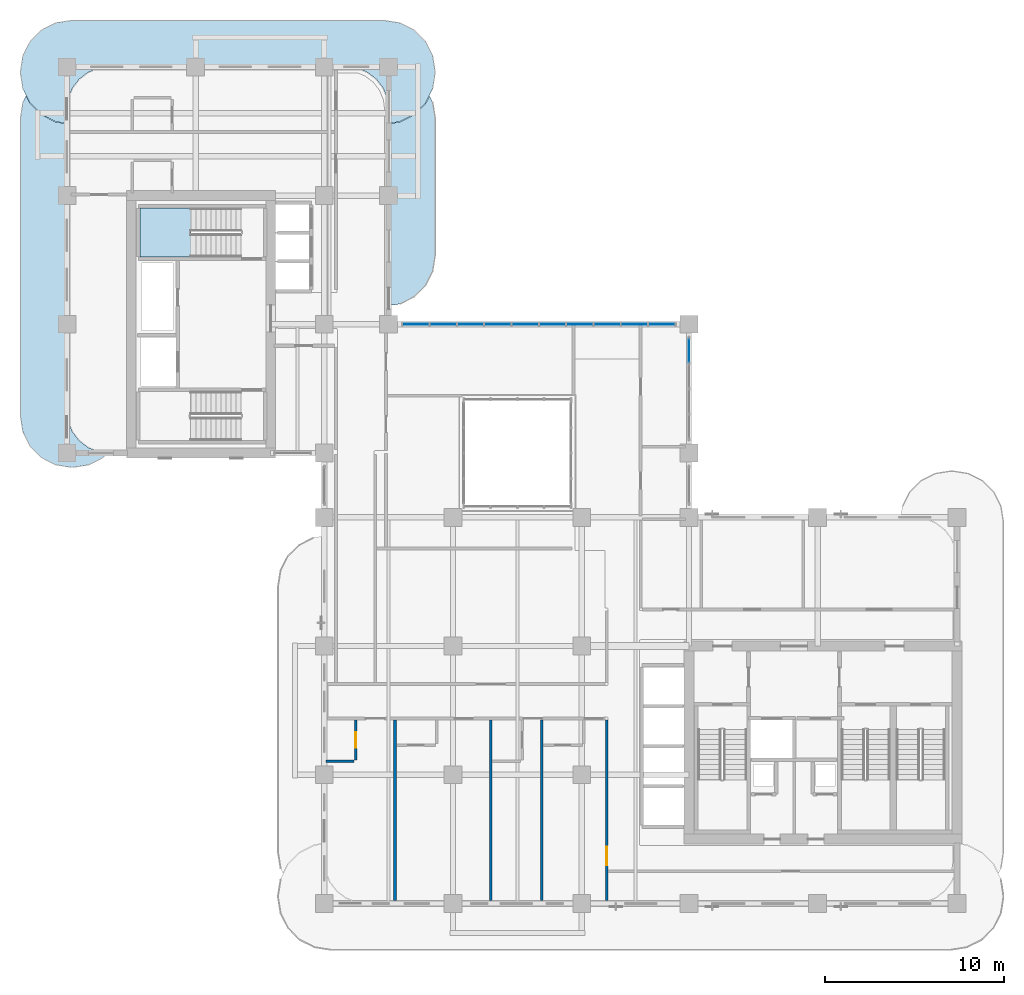
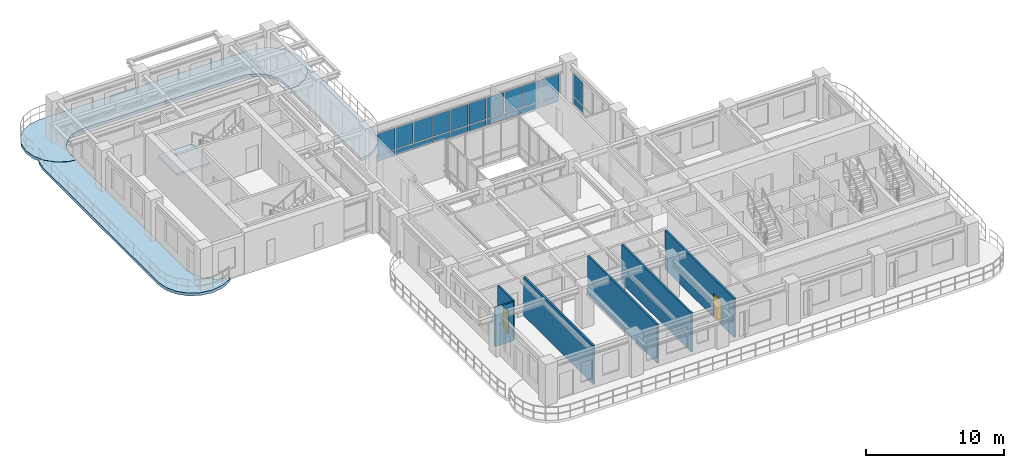
# One storey, part 10 of 20: 22 plates, 6 walls, 4 slabs, 2 doors, 2 openings, 3 elements without a shape of their own.
"""IFC4 building model written with IfcOpenShell, lengths in metres."""

from ifc_helpers import new_model, si_unit, derived_unit, direction, frame, frame_2d, origin, origin_2d, place, context, subcontext, project, spatial, polyline, rectangle, outline, extrude, source, transform, mapped, material, layer, layer_set, type_object, type_shapes, element, fill, aggregate, save


model = new_model("IFC4")

# Units and contexts
model_context = context("Model", 3, precision=1e-05, world=origin(), true_north=direction((0.0, 1.0)))
body_context = subcontext(model_context, "Body", "Model", "MODEL_VIEW")
ifc_project = project(units=[si_unit("LENGTHUNIT", "METRE"), si_unit("AREAUNIT", "SQUARE_METRE"), si_unit("VOLUMEUNIT", "CUBIC_METRE"), si_unit("PLANEANGLEUNIT", "RADIAN"), si_unit("MASSUNIT", "GRAM", prefix="KILO"), si_unit("THERMODYNAMICTEMPERATUREUNIT", "KELVIN"), si_unit("POWERUNIT", "WATT"), derived_unit("THERMALTRANSMITTANCEUNIT", [(si_unit("POWERUNIT", "WATT"), 1), (si_unit("AREAUNIT", "SQUARE_METRE"), -1), (si_unit("THERMODYNAMICTEMPERATUREUNIT", "KELVIN"), -1)])], contexts=[model_context])

# Site, building, storey
site_placement = place(None, origin())
site = spatial("IfcSite", under=ifc_project, at=site_placement, CompositionType="ELEMENT")
building_placement = place(site_placement, origin())
building = spatial("IfcBuilding", under=site, at=building_placement, Name="Zahravan Archway Hotel and Residences", CompositionType="ELEMENT")
storey_placement = place(building_placement, frame((0.0, 0.0, 122.89990234375)))
storey = spatial("IfcBuildingStorey", under=building, at=storey_placement, Name="L30", CompositionType="ELEMENT", Elevation=122.89990234375)

# Slabs
ifc_material_1 = material(Name="Concrete C45/55", Category="concrete")
ifc_layer_1 = layer(ifc_material_1, 0.25, Name="Concrete C45/55", Category="concrete")
ifc_layer_set_1 = layer_set([ifc_layer_1], Name="Concrete C45/55")
slab_type_1 = type_object("IfcSlabType", Name="SLB-BALC-250", PredefinedType="FLOOR", material=ifc_layer_set_1)
slab_1_placement = place(storey_placement, frame((0.0, 0.0, -0.25)))
element("IfcSlab", 1, at=slab_1_placement, inside=storey, type_object=slab_type_1, Name="L30 Wing B North Rounded Balcony Band", PredefinedType="FLOOR", context=body_context, shape_type="SweptSolid", body=[
    extrude(outline(polyline([(-0.630615234375, 43.739501953125), (-1.42529296875, 44.144287109375), (-2.0556640625, 44.77490234375), (-2.46044921875, 45.5693359375), (-2.60009765625, 46.449951171875), (-2.60009765625, 46.550048828125), (-2.46044921875, 47.4306640625), (-2.0556640625, 48.22509765625), (-1.42529296875, 48.855712890625), (-0.630615234375, 49.260498046875), (0.25, 49.39990234375), (17.75, 49.39990234375), (18.630615234375, 49.260498046875), (19.42529296875, 48.855712890625), (20.0556640625, 48.22509765625), (20.46044921875, 47.4306640625), (20.60009765625, 46.550048828125), (20.60009765625, 46.449951171875), (20.46044921875, 45.5693359375), (20.0556640625, 44.77490234375), (19.42529296875, 44.144287109375), (18.630615234375, 43.739501953125), (18.02001953125, 43.642822265625), (18.02001953125, 44.39990234375), (18.019775390625, 44.402587890625), (17.93798828125, 45.023681640625), (17.937744140625, 45.025390625), (17.937255859375, 45.027099609375), (17.936767578125, 45.02880859375), (17.697021484375, 45.607666015625), (17.6962890625, 45.609130859375), (17.6953125, 45.610595703125), (17.6943359375, 45.6123046875), (17.31298828125, 46.109375), (17.311767578125, 46.110595703125), (17.310546875, 46.11181640625), (17.309326171875, 46.113037109375), (16.812255859375, 46.494384765625), (16.810791015625, 46.495361328125), (16.80908203125, 46.49609375), (16.8076171875, 46.4970703125), (16.22900390625, 46.73681640625), (16.227294921875, 46.7373046875), (16.2255859375, 46.73779296875), (16.223876953125, 46.738037109375), (15.6025390625, 46.81982421875), (15.60009765625, 46.820068359375), (2.39990234375, 46.820068359375), (2.3974609375, 46.81982421875), (1.776123046875, 46.738037109375), (1.7744140625, 46.73779296875), (1.772705078125, 46.7373046875), (1.77099609375, 46.73681640625), (1.1923828125, 46.4970703125), (1.19091796875, 46.49609375), (1.189208984375, 46.495361328125), (1.187744140625, 46.494384765625), (0.690673828125, 46.113037109375), (0.689453125, 46.11181640625), (0.688232421875, 46.110595703125), (0.68701171875, 46.109375), (0.3056640625, 45.6123046875), (0.3046875, 45.610595703125), (0.3037109375, 45.609130859375), (0.302978515625, 45.607666015625), (0.063232421875, 45.02880859375), (0.062744140625, 45.027099609375), (0.062255859375, 45.025390625), (0.06201171875, 45.023681640625), (-0.019775390625, 44.402587890625), (-0.02001953125, 44.39990234375), (-0.02001953125, 43.642822265625), (-0.630615234375, 43.739501953125)])), origin(), (0.0, 0.0, 1.0), 0.25),
])
slab_2_placement = place(storey_placement, frame((0.0, 0.0, -0.25)))
element("IfcSlab", 2, at=slab_2_placement, inside=storey, type_object=slab_type_1, Name="L30 Wing B West Rounded Balcony Band", PredefinedType="FLOOR", context=body_context, shape_type="SweptSolid", body=[
    extrude(outline(polyline([(2.025146484375, 24.9443359375), (1.230712890625, 24.53955078125), (0.35009765625, 24.39990234375), (0.25, 24.39990234375), (-0.630615234375, 24.53955078125), (-1.42529296875, 24.9443359375), (-2.0556640625, 25.57470703125), (-2.46044921875, 26.369384765625), (-2.60009765625, 27.25), (-2.60009765625, 43.949951171875), (-2.46044921875, 44.830810546875), (-2.28369140625, 45.177978515625), (-2.073486328125, 44.765625), (-2.072509765625, 44.763916015625), (-2.0712890625, 44.76220703125), (-2.06982421875, 44.7607421875), (-1.439208984375, 44.130126953125), (-1.437744140625, 44.12890625), (-1.43603515625, 44.12744140625), (-1.434326171875, 44.12646484375), (-0.639892578125, 43.7216796875), (-0.637939453125, 43.720703125), (-0.635986328125, 43.72021484375), (-0.6337890625, 43.7197265625), (-0.023193359375, 43.623046875), (-0.021240234375, 43.622802734375), (-0.02001953125, 43.622802734375), (-0.02001953125, 27.60009765625), (-0.019775390625, 27.597412109375), (0.06201171875, 26.976318359375), (0.062255859375, 26.974609375), (0.062744140625, 26.972900390625), (0.063232421875, 26.97119140625), (0.302978515625, 26.392333984375), (0.3037109375, 26.390869140625), (0.3046875, 26.389404296875), (0.3056640625, 26.3876953125), (0.68701171875, 25.890625), (0.688232421875, 25.889404296875), (0.689453125, 25.88818359375), (0.690673828125, 25.886962890625), (1.187744140625, 25.505615234375), (1.189208984375, 25.504638671875), (1.19091796875, 25.50390625), (1.1923828125, 25.5029296875), (1.77099609375, 25.26318359375), (1.772705078125, 25.2626953125), (1.7744140625, 25.26220703125), (1.776123046875, 25.261962890625), (2.27685546875, 25.196044921875), (2.025146484375, 24.9443359375)])), origin(), (0.0, 0.0, 1.0), 0.25),
])
slab_3_placement = place(storey_placement, frame((0.0, 0.0, -0.25)))
element("IfcSlab", 3, at=slab_3_placement, inside=storey, type_object=slab_type_1, Name="L30 Wing B East Rounded Balcony Band", PredefinedType="FLOOR", context=body_context, shape_type="SweptSolid", body=[
    extrude(outline(polyline([(20.46044921875, 44.830810546875), (20.60009765625, 43.949951171875), (20.60009765625, 36.25), (20.46044921875, 35.369384765625), (20.0556640625, 34.57470703125), (19.42529296875, 33.9443359375), (18.630615234375, 33.53955078125), (18.02001953125, 33.44287109375), (18.02001953125, 43.622802734375), (18.021240234375, 43.622802734375), (18.023193359375, 43.623046875), (18.6337890625, 43.7197265625), (18.635986328125, 43.72021484375), (18.637939453125, 43.720703125), (18.639892578125, 43.7216796875), (19.434326171875, 44.12646484375), (19.43603515625, 44.12744140625), (19.437744140625, 44.12890625), (19.439208984375, 44.130126953125), (20.06982421875, 44.7607421875), (20.0712890625, 44.76220703125), (20.072509765625, 44.763916015625), (20.073486328125, 44.765625), (20.28369140625, 45.177978515625), (20.46044921875, 44.830810546875)])), origin(), (0.0, 0.0, 1.0), 0.25),
])

# Stair, slab
ifc_material_2 = material(Name="Concrete C50/60", Category="concrete")
stair_type = type_object("IfcStairType", Name="STR-CORE-1300", PredefinedType="HALF_TURN_STAIR", material=ifc_material_2)
stair_placement = place(storey_placement, origin())
stair = element("IfcStair", 4, at=stair_placement, inside=storey, type_object=stair_type, Name="L30 Core B Exit Stair 2", PredefinedType="HALF_TURN_STAIR")
ifc_layer_2 = layer(ifc_material_2, 0.199951171875, Name="Concrete C50/60", Category="concrete")
ifc_layer_set_2 = layer_set([ifc_layer_2], Name="Concrete C50/60")
slab_type_2 = type_object("IfcSlabType", Name="SLB-LND-200", PredefinedType="LANDING", material=ifc_layer_set_2)
slab_4_placement = place(storey_placement, frame((0.0, 0.0, 1.650146484375)))
slab_4 = element("IfcSlab", 5, at=slab_4_placement, type_object=slab_type_2, Name="ST-B2 landing 1", PredefinedType="LANDING", context=body_context, shape_type="SweptSolid", body=[
    extrude(outline(polyline([(6.929931640625, 38.89990234375), (4.10009765625, 38.89990234375), (4.10009765625, 36.159912109375), (6.929931640625, 36.159912109375), (6.929931640625, 38.89990234375)])), origin(), (0.0, 0.0, 1.0), 0.199951171875),
])
aggregate(stair, [slab_4])

# Curtain wall, plates
ifc_material_3 = material(Name="Bronze-Anodized Unitised Aluminium & Low-E Glass", Category="aluminium")
ifc_layer_3 = layer(ifc_material_3, 0.179931640625, Name="Bronze-Anodized Unitised Aluminium & Low-E Glass", Category="aluminium")
ifc_layer_set_3 = layer_set([ifc_layer_3], Name="Bronze-Anodized Unitised Aluminium & Low-E Glass")
curtain_wall_type = type_object("IfcCurtainWallType", Name="CW-TWR-FEAT", PredefinedType="NOTDEFINED", material=ifc_layer_set_3)
curtain_wall_1_placement = place(storey_placement, origin())
curtain_wall_1 = element("IfcCurtainWall", 6, at=curtain_wall_1_placement, inside=storey, type_object=curtain_wall_type, Name="L30 Curtain Wall CW-L30-HNG-N-1", PredefinedType="NOTDEFINED")
ifc_material_4 = material(Name="Insulated Terracotta Spandrel Panel", Category="masonry")
ifc_layer_4 = layer(ifc_material_4, 0.0400390625, Name="Insulated Terracotta Spandrel Panel", Category="masonry")
ifc_layer_set_4 = layer_set([ifc_layer_4], Name="Insulated Terracotta Spandrel Panel")
plate_type_1 = type_object("IfcPlateType", Name="CWP-SPN-40", PredefinedType="SHEET", material=ifc_layer_set_4)
shared_shape_1 = source(origin(), body_context, "Body", "SweptSolid", [
    extrude(rectangle(XDim=1.447998046875, YDim=0.0400390625, at=origin_2d()), origin(), (0.0, 0.0, 1.0), 0.492431640625),
])
plate_1_placement = place(storey_placement, frame((19.52392578125, 32.39990234375, 0.10009765625), z_axis=(0.0, 0.0, 1.0), x_axis=(1.0, 0.0, 0.0)))
plate_1 = element("IfcPlate", 7, at=plate_1_placement, type_object=plate_type_1, Name="CW-L30-HNG-N-1 Spandrel Panel 0", PredefinedType="SHEET", context=body_context, shape_type="MappedRepresentation", body=[
    mapped(shared_shape_1, transform((0.0, 0.0, 0.0), scale=1.0)),
])
plate_2_placement = place(storey_placement, frame((21.052001953125, 32.39990234375, 0.10009765625), z_axis=(0.0, 0.0, 1.0), x_axis=(1.0, 0.0, 0.0)))
plate_2 = element("IfcPlate", 8, at=plate_2_placement, type_object=plate_type_1, Name="CW-L30-HNG-N-1 Spandrel Panel 1", PredefinedType="SHEET", context=body_context, shape_type="MappedRepresentation", body=[
    mapped(shared_shape_1, transform((0.0, 0.0, 0.0), scale=1.0)),
])
plate_3_placement = place(storey_placement, frame((22.580078125, 32.39990234375, 0.10009765625), z_axis=(0.0, 0.0, 1.0), x_axis=(1.0, 0.0, 0.0)))
plate_3 = element("IfcPlate", 9, at=plate_3_placement, type_object=plate_type_1, Name="CW-L30-HNG-N-1 Spandrel Panel 2", PredefinedType="SHEET", context=body_context, shape_type="MappedRepresentation", body=[
    mapped(shared_shape_1, transform((0.0, 0.0, 0.0), scale=1.0)),
])
plate_4_placement = place(storey_placement, frame((24.10791015625, 32.39990234375, 0.10009765625), z_axis=(0.0, 0.0, 1.0), x_axis=(1.0, 0.0, 0.0)))
plate_4 = element("IfcPlate", 10, at=plate_4_placement, type_object=plate_type_1, Name="CW-L30-HNG-N-1 Spandrel Panel 3", PredefinedType="SHEET", context=body_context, shape_type="MappedRepresentation", body=[
    mapped(shared_shape_1, transform((0.0, 0.0, 0.0), scale=1.0)),
])
plate_5_placement = place(storey_placement, frame((25.635986328125, 32.39990234375, 0.10009765625), z_axis=(0.0, 0.0, 1.0), x_axis=(1.0, 0.0, 0.0)))
plate_5 = element("IfcPlate", 11, at=plate_5_placement, type_object=plate_type_1, Name="CW-L30-HNG-N-1 Spandrel Panel 4", PredefinedType="SHEET", context=body_context, shape_type="MappedRepresentation", body=[
    mapped(shared_shape_1, transform((0.0, 0.0, 0.0), scale=1.0)),
])
plate_6_placement = place(storey_placement, frame((27.1640625, 32.39990234375, 0.10009765625), z_axis=(0.0, 0.0, 1.0), x_axis=(1.0, 0.0, 0.0)))
plate_6 = element("IfcPlate", 12, at=plate_6_placement, type_object=plate_type_1, Name="CW-L30-HNG-N-1 Spandrel Panel 5", PredefinedType="SHEET", context=body_context, shape_type="MappedRepresentation", body=[
    mapped(shared_shape_1, transform((0.0, 0.0, 0.0), scale=1.0)),
])
plate_7_placement = place(storey_placement, frame((28.69189453125, 32.39990234375, 0.10009765625), z_axis=(0.0, 0.0, 1.0), x_axis=(1.0, 0.0, 0.0)))
plate_7 = element("IfcPlate", 13, at=plate_7_placement, type_object=plate_type_1, Name="CW-L30-HNG-N-1 Spandrel Panel 6", PredefinedType="SHEET", context=body_context, shape_type="MappedRepresentation", body=[
    mapped(shared_shape_1, transform((0.0, 0.0, 0.0), scale=1.0)),
])
plate_8_placement = place(storey_placement, frame((30.219970703125, 32.39990234375, 0.10009765625), z_axis=(0.0, 0.0, 1.0), x_axis=(1.0, 0.0, 0.0)))
plate_8 = element("IfcPlate", 14, at=plate_8_placement, type_object=plate_type_1, Name="CW-L30-HNG-N-1 Spandrel Panel 7", PredefinedType="SHEET", context=body_context, shape_type="MappedRepresentation", body=[
    mapped(shared_shape_1, transform((0.0, 0.0, 0.0), scale=1.0)),
])
plate_9_placement = place(storey_placement, frame((31.748046875, 32.39990234375, 0.10009765625), z_axis=(0.0, 0.0, 1.0), x_axis=(1.0, 0.0, 0.0)))
plate_9 = element("IfcPlate", 15, at=plate_9_placement, type_object=plate_type_1, Name="CW-L30-HNG-N-1 Spandrel Panel 8", PredefinedType="SHEET", context=body_context, shape_type="MappedRepresentation", body=[
    mapped(shared_shape_1, transform((0.0, 0.0, 0.0), scale=1.0)),
])
plate_10_placement = place(storey_placement, frame((33.27587890625, 32.39990234375, 0.10009765625), z_axis=(0.0, 0.0, 1.0), x_axis=(1.0, 0.0, 0.0)))
plate_10 = element("IfcPlate", 16, at=plate_10_placement, type_object=plate_type_1, Name="CW-L30-HNG-N-1 Spandrel Panel 9", PredefinedType="SHEET", context=body_context, shape_type="MappedRepresentation", body=[
    mapped(shared_shape_1, transform((0.0, 0.0, 0.0), scale=1.0)),
])
ifc_material_5 = material(Name="Double-Silver Low-E Insulated Vision Glass", Category="glass")
ifc_layer_5 = layer(ifc_material_5, 0.028076171875, Name="Double-Silver Low-E Insulated Vision Glass", Category="glass")
ifc_layer_set_5 = layer_set([ifc_layer_5], Name="Double-Silver Low-E Insulated Vision Glass")
plate_type_2 = type_object("IfcPlateType", Name="CWP-GLZ-28", PredefinedType="CURTAIN_PANEL", material=ifc_layer_set_5)
shared_shape_2 = source(origin(), body_context, "Body", "SweptSolid", [
    extrude(rectangle(XDim=1.447998046875, YDim=0.028076171875, at=origin_2d()), origin(), (0.0, 0.0, 1.0), 1.862548828125),
])
plate_11_placement = place(storey_placement, frame((19.52392578125, 32.39990234375, 0.67236328125), z_axis=(0.0, 0.0, 1.0), x_axis=(1.0, 0.0, 0.0)))
plate_11 = element("IfcPlate", 17, at=plate_11_placement, type_object=plate_type_2, Name="CW-L30-HNG-N-1 Low-E Vision Panel 0", PredefinedType="CURTAIN_PANEL", context=body_context, shape_type="MappedRepresentation", body=[
    mapped(shared_shape_2, transform((0.0, 0.0, 0.0), scale=1.0)),
])
plate_12_placement = place(storey_placement, frame((21.052001953125, 32.39990234375, 0.67236328125), z_axis=(0.0, 0.0, 1.0), x_axis=(1.0, 0.0, 0.0)))
plate_12 = element("IfcPlate", 18, at=plate_12_placement, type_object=plate_type_2, Name="CW-L30-HNG-N-1 Low-E Vision Panel 1", PredefinedType="CURTAIN_PANEL", context=body_context, shape_type="MappedRepresentation", body=[
    mapped(shared_shape_2, transform((0.0, 0.0, 0.0), scale=1.0)),
])
plate_13_placement = place(storey_placement, frame((22.580078125, 32.39990234375, 0.67236328125), z_axis=(0.0, 0.0, 1.0), x_axis=(1.0, 0.0, 0.0)))
plate_13 = element("IfcPlate", 19, at=plate_13_placement, type_object=plate_type_2, Name="CW-L30-HNG-N-1 Low-E Vision Panel 2", PredefinedType="CURTAIN_PANEL", context=body_context, shape_type="MappedRepresentation", body=[
    mapped(shared_shape_2, transform((0.0, 0.0, 0.0), scale=1.0)),
])
plate_14_placement = place(storey_placement, frame((24.10791015625, 32.39990234375, 0.67236328125), z_axis=(0.0, 0.0, 1.0), x_axis=(1.0, 0.0, 0.0)))
plate_14 = element("IfcPlate", 20, at=plate_14_placement, type_object=plate_type_2, Name="CW-L30-HNG-N-1 Low-E Vision Panel 3", PredefinedType="CURTAIN_PANEL", context=body_context, shape_type="MappedRepresentation", body=[
    mapped(shared_shape_2, transform((0.0, 0.0, 0.0), scale=1.0)),
])
plate_15_placement = place(storey_placement, frame((25.635986328125, 32.39990234375, 0.67236328125), z_axis=(0.0, 0.0, 1.0), x_axis=(1.0, 0.0, 0.0)))
plate_15 = element("IfcPlate", 21, at=plate_15_placement, type_object=plate_type_2, Name="CW-L30-HNG-N-1 Low-E Vision Panel 4", PredefinedType="CURTAIN_PANEL", context=body_context, shape_type="MappedRepresentation", body=[
    mapped(shared_shape_2, transform((0.0, 0.0, 0.0), scale=1.0)),
])
plate_16_placement = place(storey_placement, frame((27.1640625, 32.39990234375, 0.67236328125), z_axis=(0.0, 0.0, 1.0), x_axis=(1.0, 0.0, 0.0)))
plate_16 = element("IfcPlate", 22, at=plate_16_placement, type_object=plate_type_2, Name="CW-L30-HNG-N-1 Low-E Vision Panel 5", PredefinedType="CURTAIN_PANEL", context=body_context, shape_type="MappedRepresentation", body=[
    mapped(shared_shape_2, transform((0.0, 0.0, 0.0), scale=1.0)),
])
plate_17_placement = place(storey_placement, frame((28.69189453125, 32.39990234375, 0.67236328125), z_axis=(0.0, 0.0, 1.0), x_axis=(1.0, 0.0, 0.0)))
plate_17 = element("IfcPlate", 23, at=plate_17_placement, type_object=plate_type_2, Name="CW-L30-HNG-N-1 Low-E Vision Panel 6", PredefinedType="CURTAIN_PANEL", context=body_context, shape_type="MappedRepresentation", body=[
    mapped(shared_shape_2, transform((0.0, 0.0, 0.0), scale=1.0)),
])
plate_18_placement = place(storey_placement, frame((30.219970703125, 32.39990234375, 0.67236328125), z_axis=(0.0, 0.0, 1.0), x_axis=(1.0, 0.0, 0.0)))
plate_18 = element("IfcPlate", 24, at=plate_18_placement, type_object=plate_type_2, Name="CW-L30-HNG-N-1 Low-E Vision Panel 7", PredefinedType="CURTAIN_PANEL", context=body_context, shape_type="MappedRepresentation", body=[
    mapped(shared_shape_2, transform((0.0, 0.0, 0.0), scale=1.0)),
])
plate_19_placement = place(storey_placement, frame((31.748046875, 32.39990234375, 0.67236328125), z_axis=(0.0, 0.0, 1.0), x_axis=(1.0, 0.0, 0.0)))
plate_19 = element("IfcPlate", 25, at=plate_19_placement, type_object=plate_type_2, Name="CW-L30-HNG-N-1 Low-E Vision Panel 8", PredefinedType="CURTAIN_PANEL", context=body_context, shape_type="MappedRepresentation", body=[
    mapped(shared_shape_2, transform((0.0, 0.0, 0.0), scale=1.0)),
])
plate_20_placement = place(storey_placement, frame((33.27587890625, 32.39990234375, 0.67236328125), z_axis=(0.0, 0.0, 1.0), x_axis=(1.0, 0.0, 0.0)))
plate_20 = element("IfcPlate", 26, at=plate_20_placement, type_object=plate_type_2, Name="CW-L30-HNG-N-1 Low-E Vision Panel 9", PredefinedType="CURTAIN_PANEL", context=body_context, shape_type="MappedRepresentation", body=[
    mapped(shared_shape_2, transform((0.0, 0.0, 0.0), scale=1.0)),
])
aggregate(curtain_wall_1, [plate_1, plate_11, plate_2, plate_12, plate_3, plate_13, plate_4, plate_14, plate_5, plate_15, plate_6, plate_16, plate_7, plate_17, plate_8, plate_18, plate_9, plate_19, plate_10, plate_20])

curtain_wall_2_placement = place(storey_placement, origin())
curtain_wall_2 = element("IfcCurtainWall", 27, at=curtain_wall_2_placement, inside=storey, type_object=curtain_wall_type, Name="L30 Curtain Wall CW-L30-HNG-E-2", PredefinedType="NOTDEFINED")
shared_shape_3 = source(origin(), body_context, "Body", "SweptSolid", [
    extrude(rectangle(XDim=1.340087890625, YDim=0.0400390625, at=origin_2d()), origin(), (0.0, 0.0, 1.0), 0.564453125),
])
plate_21_placement = place(storey_placement, frame((34.800048828125, 30.929931640625, 0.10009765625), z_axis=(0.0, 0.0, 1.0), x_axis=(0.0, 1.0, 0.0)))
plate_21 = element("IfcPlate", 28, at=plate_21_placement, type_object=plate_type_1, Name="CW-L30-HNG-E-2 Spandrel Panel 3", PredefinedType="SHEET", context=body_context, shape_type="MappedRepresentation", body=[
    mapped(shared_shape_3, transform((0.0, 0.0, 0.0), scale=1.0)),
])
shared_shape_4 = source(origin(), body_context, "Body", "SweptSolid", [
    extrude(rectangle(XDim=1.340087890625, YDim=0.028076171875, at=origin_2d()), origin(), (0.0, 0.0, 1.0), 2.090576171875),
])
plate_22_placement = place(storey_placement, frame((34.800048828125, 30.929931640625, 0.74462890625), z_axis=(0.0, 0.0, 1.0), x_axis=(0.0, 1.0, 0.0)))
plate_22 = element("IfcPlate", 29, at=plate_22_placement, type_object=plate_type_2, Name="CW-L30-HNG-E-2 Low-E Vision Panel 3", PredefinedType="CURTAIN_PANEL", context=body_context, shape_type="MappedRepresentation", body=[
    mapped(shared_shape_4, transform((0.0, 0.0, 0.0), scale=1.0)),
])
aggregate(curtain_wall_2, [plate_21, plate_22])

# Wall, opening, door
ifc_material_6 = material(Name="Fire-Rated Gypsum & Concrete Block", Category="concrete")
ifc_layer_6 = layer(ifc_material_6, 0.159912109375, Name="Fire-Rated Gypsum & Concrete Block", Category="concrete")
ifc_layer_set_6 = layer_set([ifc_layer_6], Name="Fire-Rated Gypsum & Concrete Block")
wall_type_1 = type_object("IfcWallType", Name="PW-CORR-160", PredefinedType="PARTITIONING", material=ifc_layer_set_6)
wall_1_placement = place(storey_placement, frame((30.199951171875, 0.16796875, 0.0), z_axis=(0.0, 0.0, 1.0), x_axis=(0.0, 1.0, 0.0)))
wall_1 = element("IfcWall", 30, at=wall_1_placement, inside=storey, type_object=wall_type_1, Name="L30 Partition WA-SRW", PredefinedType="PARTITIONING", context=body_context, shape_type="SweptSolid", body=[
    extrude(rectangle(XDim=10.092041015625, YDim=0.159912109375, at=frame_2d((5.0458984375, 0.0))), origin(), (0.0, 0.0, 1.0), 3.4501953125),
])
opening_1_placement = place(wall_1_placement, frame((1.95703125, 0.0, 0.0)))
opening_1 = element("IfcOpeningElement", 31, at=opening_1_placement, cuts=wall_1, Name="Opening FD-L2", PredefinedType="OPENING", context=body_context, shape_type="SweptSolid", body=[
    extrude(rectangle(XDim=1.050048828125, YDim=2.14990234375, at=frame_2d((0.52490234375, 1.074951171875))), frame((0.0, 0.08984375, 0.0), z_axis=(0.0, -1.0, 0.0), x_axis=(1.0, 0.0, 0.0)), (0.0, 0.0, 1.0), 0.179931640625),
])
ifc_material_7 = material(Name="Fire-Rated Painted Steel", Category="steel")
door_type_1 = type_object("IfcDoorType", Name="FD-LOBBY-1100", OperationType="NOTDEFINED", PredefinedType="DOOR", material=ifc_material_7)
shared_shape_5 = source(origin(), body_context, "Body", "SweptSolid", [
    extrude(rectangle(XDim=1.050048828125, YDim=2.14990234375, at=frame_2d((0.52490234375, 1.074951171875))), frame((0.0, 0.02490234375, 0.0), z_axis=(0.0, -1.0, 0.0), x_axis=(1.0, 0.0, 0.0)), (0.0, 0.0, 1.0), 0.050048828125),
])
type_shapes(door_type_1, [shared_shape_5])
door_1_placement = place(opening_1_placement, origin())
door_1 = element("IfcDoor", 32, at=door_1_placement, inside=storey, type_object=door_type_1, Name="L30 South Riser Corridor Door", OperationType="SINGLE_SWING_LEFT", OverallHeight=2.14990234375, OverallWidth=1.050048828125, PredefinedType="DOOR", context=body_context, shape_type="MappedRepresentation", body=[
    mapped(shared_shape_5, transform((0.0, 0.0, 0.0), scale=1.0)),
])
fill(opening_1, door_1)

# Walls
ifc_material_8 = material(Name="Acoustic Stud Partition")
ifc_layer_7 = layer(ifc_material_8, 0.14990234375, Name="Acoustic Stud Partition")
ifc_layer_set_7 = layer_set([ifc_layer_7], Name="Acoustic Stud Partition")
wall_type_2 = type_object("IfcWallType", Name="PW-UNIT-150", PredefinedType="PARTITIONING", material=ifc_layer_set_7)
for number, where, z_axis, x_axis, name in (
    (33, (18.35009765625, 0.16796875, 0.0), (0.0, 0.0, 1.0), (0.0, 1.0, 0.0), "L30 Partition WAS-4-1"),
    (34, (23.719970703125, 0.16796875, 0.0), (0.0, 0.0, 1.0), (0.0, 1.0, 0.0), "L30 Partition WAS-4-2"),
    (35, (26.570068359375, 0.16796875, 0.0), (0.0, 0.0, 1.0), (0.0, 1.0, 0.0), "L30 Partition WAS-4-3"),
):
    element("IfcWall", number, at=place(storey_placement, frame(where, z_axis=z_axis, x_axis=x_axis)), inside=storey, type_object=wall_type_2, Name=name, PredefinedType="PARTITIONING", context=body_context, shape_type="SweptSolid", body=[
        extrude(rectangle(XDim=10.092041015625, YDim=0.14990234375, at=frame_2d((5.0458984375, 0.0))), origin(), (0.0, 0.0, 1.0), 3.4501953125),
    ])

# Wall, opening, door
ifc_material_9 = material(Name="Moisture-Resistant Blockwork", Category="masonry")
ifc_layer_8 = layer(ifc_material_9, 0.139892578125, Name="Moisture-Resistant Blockwork", Category="masonry")
ifc_layer_set_8 = layer_set([ifc_layer_8], Name="Moisture-Resistant Blockwork")
wall_type_3 = type_object("IfcWallType", Name="PW-WET-140", PredefinedType="PARTITIONING", material=ifc_layer_set_8)
wall_2_placement = place(storey_placement, frame((16.14990234375, 8.0400390625, 0.0), z_axis=(0.0, 0.0, 1.0), x_axis=(0.0, 1.0, 0.0)))
wall_2 = element("IfcWall", 36, at=wall_2_placement, inside=storey, type_object=wall_type_3, Name="L30 Partition HKB-V40", PredefinedType="PARTITIONING", context=body_context, shape_type="SweptSolid", body=[
    extrude(rectangle(XDim=2.219970703125, YDim=0.139892578125, at=frame_2d((1.10986328125, 0.0))), origin(), (0.0, 0.0, 1.0), 3.4501953125),
])
opening_2_placement = place(wall_2_placement, frame((0.68505859375, 0.0, 0.0)))
opening_2 = element("IfcOpeningElement", 37, at=opening_2_placement, cuts=wall_2, Name="Opening D-B1", PredefinedType="OPENING", context=body_context, shape_type="SweptSolid", body=[
    extrude(rectangle(XDim=0.85009765625, YDim=2.10009765625, at=frame_2d((0.425048828125, 1.050048828125))), frame((0.0, 0.080078125, 0.0), z_axis=(0.0, -1.0, 0.0), x_axis=(1.0, 0.0, 0.0)), (0.0, 0.0, 1.0), 0.159912109375),
])
ifc_material_10 = material(Name="Hardwood Veneer Timber", Category="wood")
door_type_2 = type_object("IfcDoorType", Name="ID-BATH-850", OperationType="NOTDEFINED", PredefinedType="DOOR", material=ifc_material_10)
shared_shape_6 = source(origin(), body_context, "Body", "SweptSolid", [
    extrude(rectangle(XDim=0.85009765625, YDim=2.10009765625, at=frame_2d((0.425048828125, 1.050048828125))), frame((0.0, 0.02490234375, 0.0), z_axis=(0.0, -1.0, 0.0), x_axis=(1.0, 0.0, 0.0)), (0.0, 0.0, 1.0), 0.050048828125),
])
type_shapes(door_type_2, [shared_shape_6])
door_2_placement = place(opening_2_placement, origin())
door_2 = element("IfcDoor", 38, at=door_2_placement, inside=storey, type_object=door_type_2, Name="L30 Guestroom 40 En-Suite Door", OperationType="SINGLE_SWING_LEFT", OverallHeight=2.10009765625, OverallWidth=0.85009765625, PredefinedType="DOOR", context=body_context, shape_type="MappedRepresentation", body=[
    mapped(shared_shape_6, transform((0.0, 0.0, 0.0), scale=1.0)),
])
fill(opening_2, door_2)

# Wall
wall_3_placement = place(storey_placement, frame((14.489990234375, 7.949951171875, 0.0), z_axis=(0.0, 0.0, 1.0), x_axis=(1.0, 0.0, 0.0)))
element("IfcWall", 39, at=wall_3_placement, inside=storey, type_object=wall_type_3, Name="L30 Partition HKB-H40", PredefinedType="PARTITIONING", context=body_context, shape_type="SweptSolid", body=[
    extrude(rectangle(XDim=1.570068359375, YDim=0.139892578125, at=frame_2d((0.78515625, 0.0))), origin(), (0.0, 0.0, 1.0), 3.4501953125),
])

save(model, "model.ifc")
